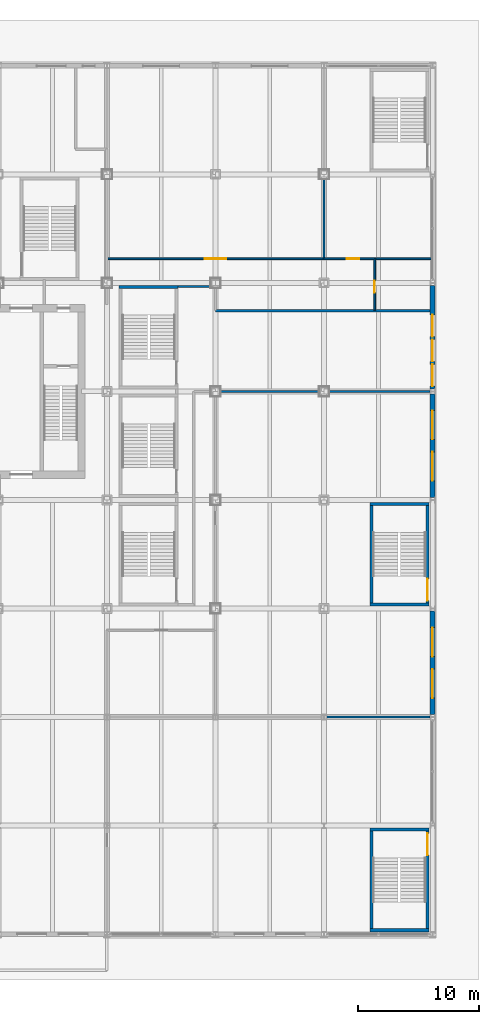
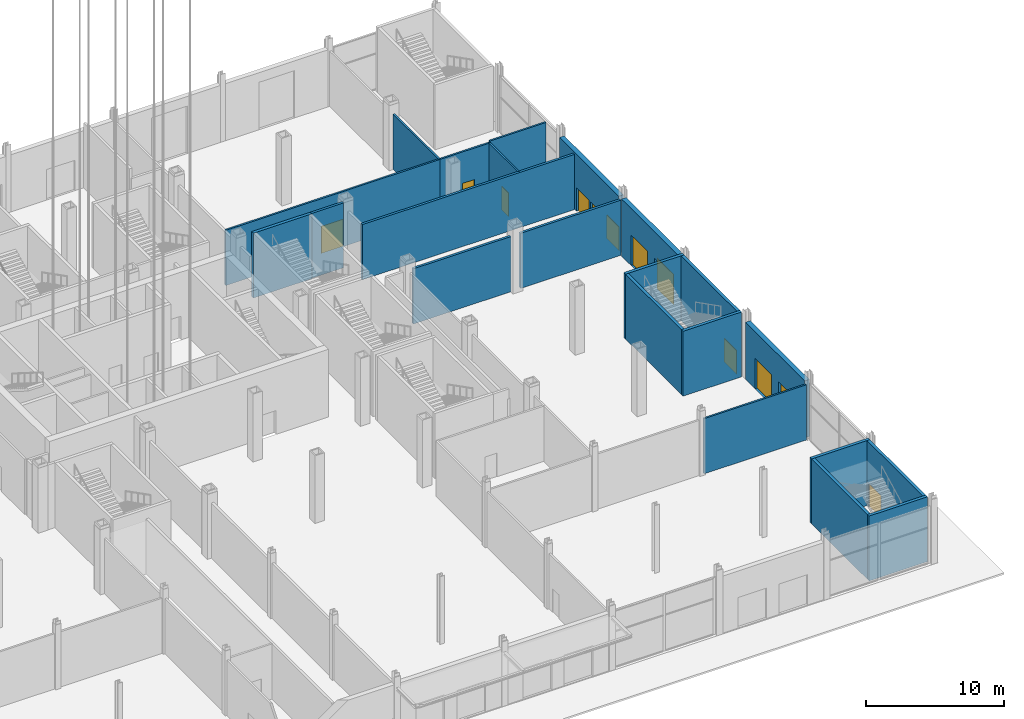
# One storey, part 21 of 34: 22 walls, 12 doors, 12 openings.
"""IFC4 building model written with IfcOpenShell, lengths in metres."""

from ifc_helpers import new_model, si_unit, direction, frame, frame_2d, origin, place, context, subcontext, project, spatial, rectangle, extrude, material, layer, layer_set, type_object, element, fill, save


model = new_model("IFC4")

# Units and contexts
model_context = context("Model", 3, precision=1e-05, world=origin(), true_north=direction((0.0, 1.0)))
body_context = subcontext(model_context, "Body", "Model", "MODEL_VIEW")
ifc_project = project(units=[si_unit("LENGTHUNIT", "METRE"), si_unit("AREAUNIT", "SQUARE_METRE"), si_unit("VOLUMEUNIT", "CUBIC_METRE"), si_unit("PLANEANGLEUNIT", "RADIAN"), si_unit("MASSUNIT", "GRAM", prefix="KILO")], contexts=[model_context])

# Site, building, storey
site_placement = place(None, origin())
site = spatial("IfcSite", under=ifc_project, at=site_placement, CompositionType="ELEMENT")
building_placement = place(site_placement, origin())
building = spatial("IfcBuilding", under=site, at=building_placement, Name="Loomwork Tower", CompositionType="ELEMENT")
storey_placement = place(building_placement, origin())
storey = spatial("IfcBuildingStorey", under=building, at=storey_placement, Name="L00", CompositionType="ELEMENT", Elevation=0.0)

# Wall, openings, doors
ifc_material_1 = material(Name="Limestone on concrete masonry", Category="masonry")
ifc_layer_1 = layer(ifc_material_1, 0.39990234375)
ifc_layer_set_1 = layer_set([ifc_layer_1], Name="Entrance portal wall 400")
wall_type_1 = type_object("IfcWallType", Name="Entrance portal wall 400", PredefinedType="SOLIDWALL", material=ifc_layer_set_1)
wall_1_placement = place(storey_placement, frame((63.0, -8.79931640625, 0.0), z_axis=(0.0, 0.0, 1.0), x_axis=(0.0, 1.0, 0.0)))
wall_1 = element("IfcWall", 1, at=wall_1_placement, inside=storey, type_object=wall_type_1, Name="Entrance portal wall E -9", PredefinedType="SOLIDWALL", context=body_context, shape_type="SweptSolid", body=[
    extrude(rectangle(XDim=8.5986328125, YDim=0.39990234375, at=frame_2d((4.29931640625, 0.0))), origin(), (0.0, 0.0, 1.0), 5.053955078125),
])
opening_1_placement = place(wall_1_placement, frame((1.379638671875, 0.0, 0.0)))
opening_1 = element("IfcOpeningElement", 2, at=opening_1_placement, cuts=wall_1, Name="Opening D10", PredefinedType="OPENING", context=body_context, shape_type="SweptSolid", body=[
    extrude(rectangle(XDim=2.39990234375, YDim=2.699951171875, at=frame_2d((1.199951171875, 1.35009765625))), frame((0.0, 0.2099609375, 0.0), z_axis=(0.0, -1.0, 0.0), x_axis=(1.0, 0.0, 0.0)), (0.0, 0.0, 1.0), 0.419921875),
])
opening_2_placement = place(wall_1_placement, frame((4.819091796875, 0.0, 0.0)))
opening_2 = element("IfcOpeningElement", 3, at=opening_2_placement, cuts=wall_1, Name="Opening D10", PredefinedType="OPENING", context=body_context, shape_type="SweptSolid", body=[
    extrude(rectangle(XDim=2.39990234375, YDim=2.699951171875, at=frame_2d((1.199951171875, 1.35009765625))), frame((0.0, 0.2099609375, 0.0), z_axis=(0.0, -1.0, 0.0), x_axis=(1.0, 0.0, 0.0)), (0.0, 0.0, 1.0), 0.419921875),
])
ifc_material_2 = material(Name="Hollow metal door and frame")
door_type_1 = type_object("IfcDoorType", Name="Entrance door 2400", OperationType="DOUBLE_DOOR_SINGLE_SWING", PredefinedType="DOOR", material=ifc_material_2)
door_1_placement = place(opening_1_placement, frame((2.39990234375, 0.0, 0.0), z_axis=(0.0, 0.0, 1.0), x_axis=(-1.0, 0.0, 0.0)))
door_1 = element("IfcDoor", 4, at=door_1_placement, inside=storey, type_object=door_type_1, Name="Entrance door E -9 1", OperationType="DOUBLE_DOOR_SINGLE_SWING", OverallHeight=2.699951171875, OverallWidth=2.39990234375, PredefinedType="DOOR", context=body_context, shape_type="SweptSolid", body=[
    extrude(rectangle(XDim=2.39990234375, YDim=2.699951171875, at=frame_2d((1.199951171875, 1.35009765625))), frame((0.0, 0.02490234375, 0.0), z_axis=(0.0, -1.0, 0.0), x_axis=(1.0, 0.0, 0.0)), (0.0, 0.0, 1.0), 0.050048828125),
])
fill(opening_1, door_1)
door_2_placement = place(opening_2_placement, frame((2.39990234375, 0.0, 0.0), z_axis=(0.0, 0.0, 1.0), x_axis=(-1.0, 0.0, 0.0)))
door_2 = element("IfcDoor", 5, at=door_2_placement, inside=storey, type_object=door_type_1, Name="Entrance door E -9 2", OperationType="DOUBLE_DOOR_SINGLE_SWING", OverallHeight=2.699951171875, OverallWidth=2.39990234375, PredefinedType="DOOR", context=body_context, shape_type="SweptSolid", body=[
    extrude(rectangle(XDim=2.39990234375, YDim=2.699951171875, at=frame_2d((1.199951171875, 1.35009765625))), frame((0.0, 0.02490234375, 0.0), z_axis=(0.0, -1.0, 0.0), x_axis=(1.0, 0.0, 0.0)), (0.0, 0.0, 1.0), 0.050048828125),
])
fill(opening_2, door_2)

wall_2_placement = place(storey_placement, frame((63.0, 9.20068359375, 0.0), z_axis=(0.0, 0.0, 1.0), x_axis=(0.0, 1.0, 0.0)))
wall_2 = element("IfcWall", 6, at=wall_2_placement, inside=storey, type_object=wall_type_1, Name="Shop entrance portal wall E 9", PredefinedType="SOLIDWALL", context=body_context, shape_type="SweptSolid", body=[
    extrude(rectangle(XDim=8.5986328125, YDim=0.39990234375, at=frame_2d((4.29931640625, 0.0))), origin(), (0.0, 0.0, 1.0), 5.053955078125),
])
opening_3_placement = place(wall_2_placement, frame((1.379638671875, 0.0, 0.0)))
opening_3 = element("IfcOpeningElement", 7, at=opening_3_placement, cuts=wall_2, Name="Opening D10", PredefinedType="OPENING", context=body_context, shape_type="SweptSolid", body=[
    extrude(rectangle(XDim=2.39990234375, YDim=2.699951171875, at=frame_2d((1.199951171875, 1.35009765625))), frame((0.0, 0.2099609375, 0.0), z_axis=(0.0, -1.0, 0.0), x_axis=(1.0, 0.0, 0.0)), (0.0, 0.0, 1.0), 0.419921875),
])
opening_4_placement = place(wall_2_placement, frame((4.819091796875, 0.0, 0.0)))
opening_4 = element("IfcOpeningElement", 8, at=opening_4_placement, cuts=wall_2, Name="Opening D10", PredefinedType="OPENING", context=body_context, shape_type="SweptSolid", body=[
    extrude(rectangle(XDim=2.39990234375, YDim=2.699951171875, at=frame_2d((1.199951171875, 1.35009765625))), frame((0.0, 0.2099609375, 0.0), z_axis=(0.0, -1.0, 0.0), x_axis=(1.0, 0.0, 0.0)), (0.0, 0.0, 1.0), 0.419921875),
])
door_3_placement = place(opening_3_placement, frame((2.39990234375, 0.0, 0.0), z_axis=(0.0, 0.0, 1.0), x_axis=(-1.0, 0.0, 0.0)))
door_3 = element("IfcDoor", 9, at=door_3_placement, inside=storey, type_object=door_type_1, Name="Shop entrance door E 9 1", OperationType="DOUBLE_DOOR_SINGLE_SWING", OverallHeight=2.699951171875, OverallWidth=2.39990234375, PredefinedType="DOOR", context=body_context, shape_type="SweptSolid", body=[
    extrude(rectangle(XDim=2.39990234375, YDim=2.699951171875, at=frame_2d((1.199951171875, 1.35009765625))), frame((0.0, 0.02490234375, 0.0), z_axis=(0.0, -1.0, 0.0), x_axis=(1.0, 0.0, 0.0)), (0.0, 0.0, 1.0), 0.050048828125),
])
fill(opening_3, door_3)
door_4_placement = place(opening_4_placement, frame((2.39990234375, 0.0, 0.0), z_axis=(0.0, 0.0, 1.0), x_axis=(-1.0, 0.0, 0.0)))
door_4 = element("IfcDoor", 10, at=door_4_placement, inside=storey, type_object=door_type_1, Name="Shop entrance door E 9 2", OperationType="DOUBLE_DOOR_SINGLE_SWING", OverallHeight=2.699951171875, OverallWidth=2.39990234375, PredefinedType="DOOR", context=body_context, shape_type="SweptSolid", body=[
    extrude(rectangle(XDim=2.39990234375, YDim=2.699951171875, at=frame_2d((1.199951171875, 1.35009765625))), frame((0.0, 0.02490234375, 0.0), z_axis=(0.0, -1.0, 0.0), x_axis=(1.0, 0.0, 0.0)), (0.0, 0.0, 1.0), 0.050048828125),
])
fill(opening_4, door_4)

wall_3_placement = place(storey_placement, frame((63.0, 18.20068359375, 0.0), z_axis=(0.0, 0.0, 1.0), x_axis=(0.0, 1.0, 0.0)))
wall_3 = element("IfcWall", 11, at=wall_3_placement, inside=storey, type_object=wall_type_1, Name="Exit portal wall E 18", PredefinedType="SOLIDWALL", context=body_context, shape_type="SweptSolid", body=[
    extrude(rectangle(XDim=8.5986328125, YDim=0.39990234375, at=frame_2d((4.29931640625, 0.0))), origin(), (0.0, 0.0, 1.0), 5.053955078125),
])
opening_5_placement = place(wall_3_placement, frame((0.25, 0.0, 0.0)))
opening_5 = element("IfcOpeningElement", 12, at=opening_5_placement, cuts=wall_3, Name="Opening D14", PredefinedType="OPENING", context=body_context, shape_type="SweptSolid", body=[
    extrude(rectangle(XDim=1.800048828125, YDim=2.10009765625, at=frame_2d((0.89990234375, 1.050048828125))), frame((0.0, 0.2099609375, 0.0), z_axis=(0.0, -1.0, 0.0), x_axis=(1.0, 0.0, 0.0)), (0.0, 0.0, 1.0), 0.419921875),
])
opening_6_placement = place(wall_3_placement, frame((2.300048828125, 0.0, 0.0)))
opening_6 = element("IfcOpeningElement", 13, at=opening_6_placement, cuts=wall_3, Name="Opening D14", PredefinedType="OPENING", context=body_context, shape_type="SweptSolid", body=[
    extrude(rectangle(XDim=1.800048828125, YDim=2.10009765625, at=frame_2d((0.89990234375, 1.050048828125))), frame((0.0, 0.2099609375, 0.0), z_axis=(0.0, -1.0, 0.0), x_axis=(1.0, 0.0, 0.0)), (0.0, 0.0, 1.0), 0.419921875),
])
opening_7_placement = place(wall_3_placement, frame((4.35009765625, 0.0, 0.0)))
opening_7 = element("IfcOpeningElement", 14, at=opening_7_placement, cuts=wall_3, Name="Opening D14", PredefinedType="OPENING", context=body_context, shape_type="SweptSolid", body=[
    extrude(rectangle(XDim=1.800048828125, YDim=2.10009765625, at=frame_2d((0.89990234375, 1.050048828125))), frame((0.0, 0.2099609375, 0.0), z_axis=(0.0, -1.0, 0.0), x_axis=(1.0, 0.0, 0.0)), (0.0, 0.0, 1.0), 0.419921875),
])
ifc_material_3 = material(Name="Hollow metal door and frame")
door_type_2 = type_object("IfcDoorType", Name="Stair double door 1800", OperationType="DOUBLE_DOOR_SINGLE_SWING", PredefinedType="DOOR", material=ifc_material_3)
door_5_placement = place(opening_5_placement, frame((1.800048828125, 0.0, 0.0), z_axis=(0.0, 0.0, 1.0), x_axis=(-1.0, 0.0, 0.0)))
door_5 = element("IfcDoor", 15, at=door_5_placement, inside=storey, type_object=door_type_2, Name="Final exit door E 18 1", OperationType="DOUBLE_DOOR_SINGLE_SWING", OverallHeight=2.10009765625, OverallWidth=1.800048828125, PredefinedType="DOOR", context=body_context, shape_type="SweptSolid", body=[
    extrude(rectangle(XDim=1.800048828125, YDim=2.10009765625, at=frame_2d((0.89990234375, 1.050048828125))), frame((0.0, 0.02490234375, 0.0), z_axis=(0.0, -1.0, 0.0), x_axis=(1.0, 0.0, 0.0)), (0.0, 0.0, 1.0), 0.050048828125),
])
fill(opening_5, door_5)
door_6_placement = place(opening_6_placement, frame((1.800048828125, 0.0, 0.0), z_axis=(0.0, 0.0, 1.0), x_axis=(-1.0, 0.0, 0.0)))
door_6 = element("IfcDoor", 16, at=door_6_placement, inside=storey, type_object=door_type_2, Name="Final exit door E 18 2", OperationType="DOUBLE_DOOR_SINGLE_SWING", OverallHeight=2.10009765625, OverallWidth=1.800048828125, PredefinedType="DOOR", context=body_context, shape_type="SweptSolid", body=[
    extrude(rectangle(XDim=1.800048828125, YDim=2.10009765625, at=frame_2d((0.89990234375, 1.050048828125))), frame((0.0, 0.02490234375, 0.0), z_axis=(0.0, -1.0, 0.0), x_axis=(1.0, 0.0, 0.0)), (0.0, 0.0, 1.0), 0.050048828125),
])
fill(opening_6, door_6)
door_7_placement = place(opening_7_placement, frame((1.800048828125, 0.0, 0.0), z_axis=(0.0, 0.0, 1.0), x_axis=(-1.0, 0.0, 0.0)))
door_7 = element("IfcDoor", 17, at=door_7_placement, inside=storey, type_object=door_type_2, Name="Final exit door E 18 3", OperationType="DOUBLE_DOOR_SINGLE_SWING", OverallHeight=2.10009765625, OverallWidth=1.800048828125, PredefinedType="DOOR", context=body_context, shape_type="SweptSolid", body=[
    extrude(rectangle(XDim=1.800048828125, YDim=2.10009765625, at=frame_2d((0.89990234375, 1.050048828125))), frame((0.0, 0.02490234375, 0.0), z_axis=(0.0, -1.0, 0.0), x_axis=(1.0, 0.0, 0.0)), (0.0, 0.0, 1.0), 0.050048828125),
])
fill(opening_7, door_7)

# Wall, opening, door
ifc_material_4 = material(Name="Gypsum board on steel studs, one-hour", Category="steel")
ifc_layer_2 = layer(ifc_material_4, 0.14990234375)
ifc_layer_set_2 = layer_set([ifc_layer_2], Name="Partition 150")
wall_type_2 = type_object("IfcWallType", Name="Partition 150", PredefinedType="PARTITIONING", material=ifc_layer_set_2)
wall_4_placement = place(storey_placement, frame((54.0, 29.0, 0.0), z_axis=(0.0, 0.0, 1.0), x_axis=(-1.0, 0.0, 0.0)))
wall_4 = element("IfcWall", 18, at=wall_4_placement, inside=storey, type_object=wall_type_2, Name="Partition L00 21.1", PredefinedType="PARTITIONING", context=body_context, shape_type="SweptSolid", body=[
    extrude(rectangle(XDim=17.949951171875, YDim=0.14990234375, at=frame_2d((8.97509765625, 0.0))), origin(), (0.0, 0.0, 1.0), 4.89111328125),
])
opening_8_placement = place(wall_4_placement, frame((8.10009765625, 0.0, 0.0)))
opening_8 = element("IfcOpeningElement", 19, at=opening_8_placement, cuts=wall_4, Name="Opening D9", PredefinedType="OPENING", context=body_context, shape_type="SweptSolid", body=[
    extrude(rectangle(XDim=1.800048828125, YDim=2.39990234375, at=frame_2d((0.89990234375, 1.199951171875))), frame((0.0, 0.0849609375, 0.0), z_axis=(0.0, -1.0, 0.0), x_axis=(1.0, 0.0, 0.0)), (0.0, 0.0, 1.0), 0.169921875),
])
ifc_material_5 = material(Name="Hollow metal door and frame")
door_type_3 = type_object("IfcDoorType", Name="Double door 1800", OperationType="DOUBLE_DOOR_SINGLE_SWING", PredefinedType="DOOR", material=ifc_material_5)
door_8_placement = place(opening_8_placement, frame((1.800048828125, 0.0, 0.0), z_axis=(0.0, 0.0, 1.0), x_axis=(-1.0, 0.0, 0.0)))
door_8 = element("IfcDoor", 20, at=door_8_placement, inside=storey, type_object=door_type_3, Name="Loading dock door", OperationType="DOUBLE_DOOR_SINGLE_SWING", OverallHeight=2.39990234375, OverallWidth=1.800048828125, PredefinedType="DOOR", context=body_context, shape_type="SweptSolid", body=[
    extrude(rectangle(XDim=1.800048828125, YDim=2.39990234375, at=frame_2d((0.89990234375, 1.199951171875))), frame((0.0, 0.02490234375, 0.0), z_axis=(0.0, -1.0, 0.0), x_axis=(1.0, 0.0, 0.0)), (0.0, 0.0, 1.0), 0.050048828125),
])
fill(opening_8, door_8)

# Wall
wall_5_placement = place(storey_placement, frame((54.20068359375, -9.0, 0.0), z_axis=(0.0, 0.0, 1.0), x_axis=(1.0, 0.0, 0.0)))
element("IfcWall", 21, at=wall_5_placement, inside=storey, type_object=wall_type_2, Name="Partition L00 22.2", PredefinedType="PARTITIONING", context=body_context, shape_type="SweptSolid", body=[
    extrude(rectangle(XDim=8.599853515625, YDim=0.14990234375, at=frame_2d((4.2998046875, 0.0))), origin(), (0.0, 0.0, 1.0), 4.8916015625),
])

# Wall, opening, door
wall_6_placement = place(storey_placement, frame((58.199951171875, 29.0, 0.0), z_axis=(0.0, 0.0, 1.0), x_axis=(-1.0, 0.0, 0.0)))
wall_6 = element("IfcWall", 22, at=wall_6_placement, inside=storey, type_object=wall_type_2, Name="Partition L00 25.1", PredefinedType="PARTITIONING", context=body_context, shape_type="SweptSolid", body=[
    extrude(rectangle(XDim=4.199951171875, YDim=0.14990234375, at=frame_2d((2.10009765625, 0.0))), origin(), (0.0, 0.0, 1.0), 4.89111328125),
])
opening_9_placement = place(wall_6_placement, frame((1.300048828125, 0.0, 0.0)))
opening_9 = element("IfcOpeningElement", 23, at=opening_9_placement, cuts=wall_6, Name="Opening D7", PredefinedType="OPENING", context=body_context, shape_type="SweptSolid", body=[
    extrude(rectangle(XDim=1.0, YDim=2.10009765625, at=frame_2d((0.5, 1.050048828125))), frame((0.0, 0.0849609375, 0.0), z_axis=(0.0, -1.0, 0.0), x_axis=(1.0, 0.0, 0.0)), (0.0, 0.0, 1.0), 0.169921875),
])
ifc_material_6 = material(Name="Hollow metal door and frame")
door_type_4 = type_object("IfcDoorType", Name="Room door 1000", OperationType="SINGLE_SWING_LEFT", PredefinedType="DOOR", material=ifc_material_6)
door_9_placement = place(opening_9_placement, frame((1.0, 0.0, 0.0), z_axis=(0.0, 0.0, 1.0), x_axis=(-1.0, 0.0, 0.0)))
door_9 = element("IfcDoor", 24, at=door_9_placement, inside=storey, type_object=door_type_4, Name="Goods receiving office door", OperationType="SINGLE_SWING_RIGHT", OverallHeight=2.10009765625, OverallWidth=1.0, PredefinedType="DOOR", context=body_context, shape_type="SweptSolid", body=[
    extrude(rectangle(XDim=1.0, YDim=2.10009765625, at=frame_2d((0.5, 1.050048828125))), frame((0.0, 0.02490234375, 0.0), z_axis=(0.0, -1.0, 0.0), x_axis=(1.0, 0.0, 0.0)), (0.0, 0.0, 1.0), 0.050048828125),
])
fill(opening_9, door_9)

# Wall
wall_7_placement = place(storey_placement, frame((54.0, 35.60009765625, 0.0), z_axis=(0.0, 0.0, 1.0), x_axis=(0.0, -1.0, 0.0)))
element("IfcWall", 25, at=wall_7_placement, inside=storey, type_object=wall_type_2, Name="Partition L00 26.2", PredefinedType="PARTITIONING", context=body_context, shape_type="SweptSolid", body=[
    extrude(rectangle(XDim=6.60009765625, YDim=0.14990234375, at=frame_2d((3.300048828125, 0.0))), origin(), (0.0, 0.0, 1.0), 4.8916015625),
])

# Wall, opening, door
wall_8_placement = place(storey_placement, frame((58.199951171875, 24.75, 0.0), z_axis=(0.0, 0.0, 1.0), x_axis=(0.0, 1.0, 0.0)))
wall_8 = element("IfcWall", 26, at=wall_8_placement, inside=storey, type_object=wall_type_2, Name="Partition L00 27.1", PredefinedType="PARTITIONING", context=body_context, shape_type="SweptSolid", body=[
    extrude(rectangle(XDim=4.25, YDim=0.14990234375, at=frame_2d((2.125, 0.0))), origin(), (0.0, 0.0, 1.0), 4.89111328125),
])
opening_10_placement = place(wall_8_placement, frame((1.449951171875, 0.0, 0.0)))
opening_10 = element("IfcOpeningElement", 27, at=opening_10_placement, cuts=wall_8, Name="Opening D8", PredefinedType="OPENING", context=body_context, shape_type="SweptSolid", body=[
    extrude(rectangle(XDim=1.0, YDim=2.10009765625, at=frame_2d((0.5, 1.050048828125))), frame((0.0, 0.0849609375, 0.0), z_axis=(0.0, -1.0, 0.0), x_axis=(1.0, 0.0, 0.0)), (0.0, 0.0, 1.0), 0.169921875),
])
ifc_material_7 = material(Name="Hollow metal door and frame")
door_type_5 = type_object("IfcDoorType", Name="WC door 1000", OperationType="SINGLE_SWING_LEFT", PredefinedType="DOOR", material=ifc_material_7)
door_10_placement = place(opening_10_placement, frame((1.0, 0.0, 0.0), z_axis=(0.0, 0.0, 1.0), x_axis=(-1.0, 0.0, 0.0)))
door_10 = element("IfcDoor", 28, at=door_10_placement, inside=storey, type_object=door_type_5, Name="Accessible WC door", OperationType="SINGLE_SWING_RIGHT", OverallHeight=2.10009765625, OverallWidth=1.0, PredefinedType="DOOR", context=body_context, shape_type="SweptSolid", body=[
    extrude(rectangle(XDim=1.0, YDim=2.10009765625, at=frame_2d((0.5, 1.050048828125))), frame((0.0, 0.02490234375, 0.0), z_axis=(0.0, -1.0, 0.0), x_axis=(1.0, 0.0, 0.0)), (0.0, 0.0, 1.0), 0.050048828125),
])
fill(opening_10, door_10)

# Walls
wall_9_placement = place(storey_placement, frame((58.199951171875, 29.0, 0.0), z_axis=(0.0, 0.0, 1.0), x_axis=(1.0, 0.0, 0.0)))
element("IfcWall", 29, at=wall_9_placement, inside=storey, type_object=wall_type_2, Name="Partition L00 28.1", PredefinedType="PARTITIONING", context=body_context, shape_type="SweptSolid", body=[
    extrude(rectangle(XDim=4.699951171875, YDim=0.14990234375, at=frame_2d((2.35009765625, 0.0))), origin(), (0.0, 0.0, 1.0), 5.053955078125),
])
ifc_material_8 = material(Name="Gypsum board on steel studs, two-hour", Category="steel")
ifc_layer_3 = layer(ifc_material_8, 0.199951171875)
ifc_layer_set_3 = layer_set([ifc_layer_3], Name="Refuge enclosure wall 200")
wall_type_3 = type_object("IfcWallType", Name="Refuge enclosure wall 200", PredefinedType="PARTITIONING", material=ifc_layer_set_3)
wall_10_placement = place(storey_placement, frame((45.39990234375, 18.0, 0.0), z_axis=(0.0, 0.0, 1.0), x_axis=(1.0, 0.0, 0.0)))
element("IfcWall", 30, at=wall_10_placement, inside=storey, type_object=wall_type_3, Name="Exit passageway wall ep-e-s1 2", PredefinedType="PARTITIONING", context=body_context, shape_type="SweptSolid", body=[
    extrude(rectangle(XDim=8.2001953125, YDim=0.199951171875, at=frame_2d((4.10009765625, 0.0))), origin(), (0.0, 0.0, 1.0), 4.8916015625),
])
wall_11_placement = place(storey_placement, frame((54.39990234375, 18.0, 0.0), z_axis=(0.0, 0.0, 1.0), x_axis=(1.0, 0.0, 0.0)))
element("IfcWall", 31, at=wall_11_placement, inside=storey, type_object=wall_type_3, Name="Exit passageway wall ep-e-s1 3", PredefinedType="PARTITIONING", context=body_context, shape_type="SweptSolid", body=[
    extrude(rectangle(XDim=8.400146484375, YDim=0.199951171875, at=frame_2d((4.2001953125, 0.0))), origin(), (0.0, 0.0, 1.0), 4.8916015625),
])
wall_12_placement = place(storey_placement, frame((45.0, 24.699951171875, 0.0), z_axis=(0.0, 0.0, 1.0), x_axis=(1.0, 0.0, 0.0)))
element("IfcWall", 32, at=wall_12_placement, inside=storey, type_object=wall_type_3, Name="Exit passageway wall ep-e-n1 1", PredefinedType="PARTITIONING", context=body_context, shape_type="SweptSolid", body=[
    extrude(rectangle(XDim=17.800048828125, YDim=0.199951171875, at=frame_2d((8.89990234375, 0.0))), origin(), (0.0, 0.0, 1.0), 4.89111328125),
])
wall_13_placement = place(storey_placement, frame((41.89990234375, 26.699951171875, 0.0), z_axis=(0.0, 0.0, 1.0), x_axis=(1.0, 0.0, 0.0)))
element("IfcWall", 33, at=wall_13_placement, inside=storey, type_object=wall_type_3, Name="Exit passageway wall ep-e-n0 1", PredefinedType="PARTITIONING", context=body_context, shape_type="SweptSolid", body=[
    extrude(rectangle(XDim=2.7001953125, YDim=0.199951171875, at=frame_2d((1.35009765625, 0.0))), origin(), (0.0, 0.0, 1.0), 5.75),
])
ifc_material_9 = material(Name="Concrete masonry, two-hour", Category="masonry")
ifc_layer_4 = layer(ifc_material_9, 0.25)
ifc_layer_set_4 = layer_set([ifc_layer_4], Name="Stair enclosure wall 250")
wall_type_4 = type_object("IfcWallType", Name="Stair enclosure wall 250", PredefinedType="SOLIDWALL", material=ifc_layer_set_4)
for number, where, z_axis, x_axis, name in (
    (34, (57.800048828125, -26.675048828125, 0.0), (0.0, 0.0, 1.0), (1.0, 0.0, 0.0), "Stair PS2 enclosure wall S L00"),
    (35, (57.800048828125, -18.324951171875, 0.0), (0.0, 0.0, 1.0), (1.0, 0.0, 0.0), "Stair PS2 enclosure wall N L00"),
):
    element("IfcWall", number, at=place(storey_placement, frame(where, z_axis=z_axis, x_axis=x_axis)), inside=storey, type_object=wall_type_4, Name=name, PredefinedType="SOLIDWALL", context=body_context, shape_type="SweptSolid", body=[
        extrude(rectangle(XDim=4.89990234375, YDim=0.25, at=frame_2d((2.449951171875, 0.0))), origin(), (0.0, 0.0, 1.0), 5.75),
    ])
wall_14_placement = place(storey_placement, frame((57.925048828125, -26.550048828125, 0.0), z_axis=(0.0, 0.0, 1.0), x_axis=(0.0, 1.0, 0.0)))
element("IfcWall", 36, at=wall_14_placement, inside=storey, type_object=wall_type_4, Name="Stair PS2 enclosure wall W L00", PredefinedType="SOLIDWALL", context=body_context, shape_type="SweptSolid", body=[
    extrude(rectangle(XDim=8.10009765625, YDim=0.25, at=frame_2d((4.050048828125, 0.0))), origin(), (0.0, 0.0, 1.0), 5.75),
])

# Wall, opening, door
wall_15_placement = place(storey_placement, frame((62.574951171875, -26.550048828125, 0.0), z_axis=(0.0, 0.0, 1.0), x_axis=(0.0, 1.0, 0.0)))
wall_15 = element("IfcWall", 37, at=wall_15_placement, inside=storey, type_object=wall_type_4, Name="Stair PS2 enclosure wall E L00", PredefinedType="SOLIDWALL", context=body_context, shape_type="SweptSolid", body=[
    extrude(rectangle(XDim=8.10009765625, YDim=0.25, at=frame_2d((4.050048828125, 0.0))), origin(), (0.0, 0.0, 1.0), 5.75),
])
opening_11_placement = place(wall_15_placement, frame((6.10009765625, 0.0, 0.0)))
opening_11 = element("IfcOpeningElement", 38, at=opening_11_placement, cuts=wall_15, Name="Opening D14", PredefinedType="OPENING", context=body_context, shape_type="SweptSolid", body=[
    extrude(rectangle(XDim=1.800048828125, YDim=2.10009765625, at=frame_2d((0.89990234375, 1.050048828125))), frame((0.0, 0.135009765625, 0.0), z_axis=(0.0, -1.0, 0.0), x_axis=(1.0, 0.0, 0.0)), (0.0, 0.0, 1.0), 0.27001953125),
])
door_11_placement = place(opening_11_placement, frame((1.800048828125, 0.0, 0.0), z_axis=(0.0, 0.0, 1.0), x_axis=(-1.0, 0.0, 0.0)))
door_11 = element("IfcDoor", 39, at=door_11_placement, inside=storey, type_object=door_type_2, Name="Stair PS2 exit discharge door L00", OperationType="DOUBLE_DOOR_SINGLE_SWING", OverallHeight=2.10009765625, OverallWidth=1.800048828125, PredefinedType="DOOR", context=body_context, shape_type="SweptSolid", body=[
    extrude(rectangle(XDim=1.800048828125, YDim=2.10009765625, at=frame_2d((0.89990234375, 1.050048828125))), frame((0.0, 0.02490234375, 0.0), z_axis=(0.0, -1.0, 0.0), x_axis=(1.0, 0.0, 0.0)), (0.0, 0.0, 1.0), 0.050048828125),
])
fill(opening_11, door_11)

# Walls
for number, where, z_axis, x_axis, name in (
    (40, (57.800048828125, 0.324951171875, 0.0), (0.0, 0.0, 1.0), (1.0, 0.0, 0.0), "Stair PS6 enclosure wall S L00"),
    (41, (57.800048828125, 8.675048828125, 0.0), (0.0, 0.0, 1.0), (1.0, 0.0, 0.0), "Stair PS6 enclosure wall N L00"),
):
    element("IfcWall", number, at=place(storey_placement, frame(where, z_axis=z_axis, x_axis=x_axis)), inside=storey, type_object=wall_type_4, Name=name, PredefinedType="SOLIDWALL", context=body_context, shape_type="SweptSolid", body=[
        extrude(rectangle(XDim=4.89990234375, YDim=0.25, at=frame_2d((2.449951171875, 0.0))), origin(), (0.0, 0.0, 1.0), 5.75),
    ])
wall_16_placement = place(storey_placement, frame((57.925048828125, 0.449951171875, 0.0), z_axis=(0.0, 0.0, 1.0), x_axis=(0.0, 1.0, 0.0)))
element("IfcWall", 42, at=wall_16_placement, inside=storey, type_object=wall_type_4, Name="Stair PS6 enclosure wall W L00", PredefinedType="SOLIDWALL", context=body_context, shape_type="SweptSolid", body=[
    extrude(rectangle(XDim=8.10009765625, YDim=0.25, at=frame_2d((4.050048828125, 0.0))), origin(), (0.0, 0.0, 1.0), 5.75),
])

# Wall, opening, door
wall_17_placement = place(storey_placement, frame((62.574951171875, 0.449951171875, 0.0), z_axis=(0.0, 0.0, 1.0), x_axis=(0.0, 1.0, 0.0)))
wall_17 = element("IfcWall", 43, at=wall_17_placement, inside=storey, type_object=wall_type_4, Name="Stair PS6 enclosure wall E L00", PredefinedType="SOLIDWALL", context=body_context, shape_type="SweptSolid", body=[
    extrude(rectangle(XDim=8.10009765625, YDim=0.25, at=frame_2d((4.050048828125, 0.0))), origin(), (0.0, 0.0, 1.0), 5.75),
])
opening_12_placement = place(wall_17_placement, frame((0.199951171875, 0.0, 0.0)))
opening_12 = element("IfcOpeningElement", 44, at=opening_12_placement, cuts=wall_17, Name="Opening D14", PredefinedType="OPENING", context=body_context, shape_type="SweptSolid", body=[
    extrude(rectangle(XDim=1.800048828125, YDim=2.10009765625, at=frame_2d((0.89990234375, 1.050048828125))), frame((0.0, 0.135009765625, 0.0), z_axis=(0.0, -1.0, 0.0), x_axis=(1.0, 0.0, 0.0)), (0.0, 0.0, 1.0), 0.27001953125),
])
door_12_placement = place(opening_12_placement, frame((1.800048828125, 0.0, 0.0), z_axis=(0.0, 0.0, 1.0), x_axis=(-1.0, 0.0, 0.0)))
door_12 = element("IfcDoor", 45, at=door_12_placement, inside=storey, type_object=door_type_2, Name="Stair PS6 exit discharge door L00", OperationType="DOUBLE_DOOR_SINGLE_SWING", OverallHeight=2.10009765625, OverallWidth=1.800048828125, PredefinedType="DOOR", context=body_context, shape_type="SweptSolid", body=[
    extrude(rectangle(XDim=1.800048828125, YDim=2.10009765625, at=frame_2d((0.89990234375, 1.050048828125))), frame((0.0, 0.02490234375, 0.0), z_axis=(0.0, -1.0, 0.0), x_axis=(1.0, 0.0, 0.0)), (0.0, 0.0, 1.0), 0.050048828125),
])
fill(opening_12, door_12)

# Wall
wall_18_placement = place(storey_placement, frame((37.0, 26.675048828125, 0.0), z_axis=(0.0, 0.0, 1.0), x_axis=(1.0, 0.0, 0.0)))
element("IfcWall", 46, at=wall_18_placement, inside=storey, type_object=wall_type_4, Name="Stair PS9 enclosure wall N L00", PredefinedType="SOLIDWALL", context=body_context, shape_type="SweptSolid", body=[
    extrude(rectangle(XDim=4.89990234375, YDim=0.25, at=frame_2d((2.449951171875, 0.0))), origin(), (0.0, 0.0, 1.0), 5.75),
])

save(model, "model.ifc")
